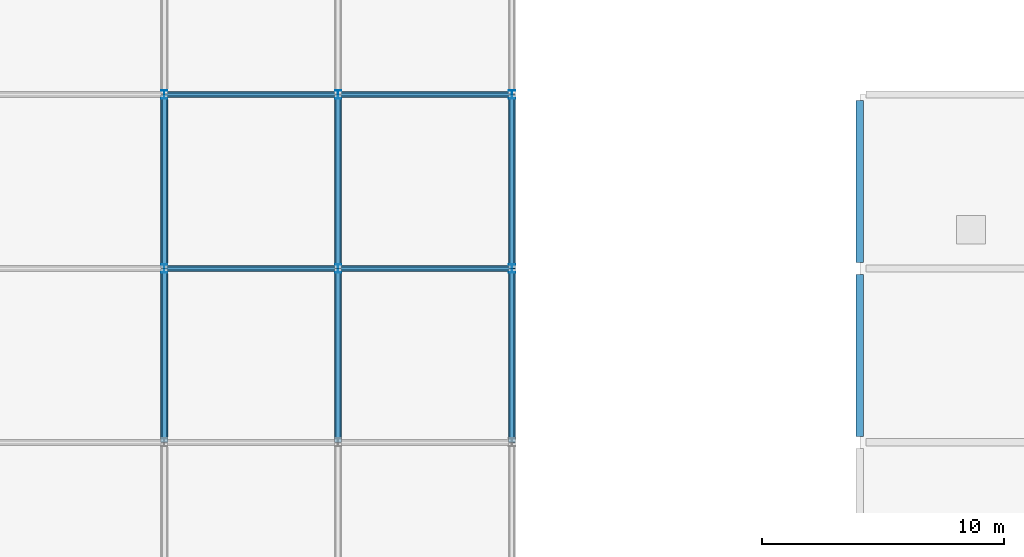
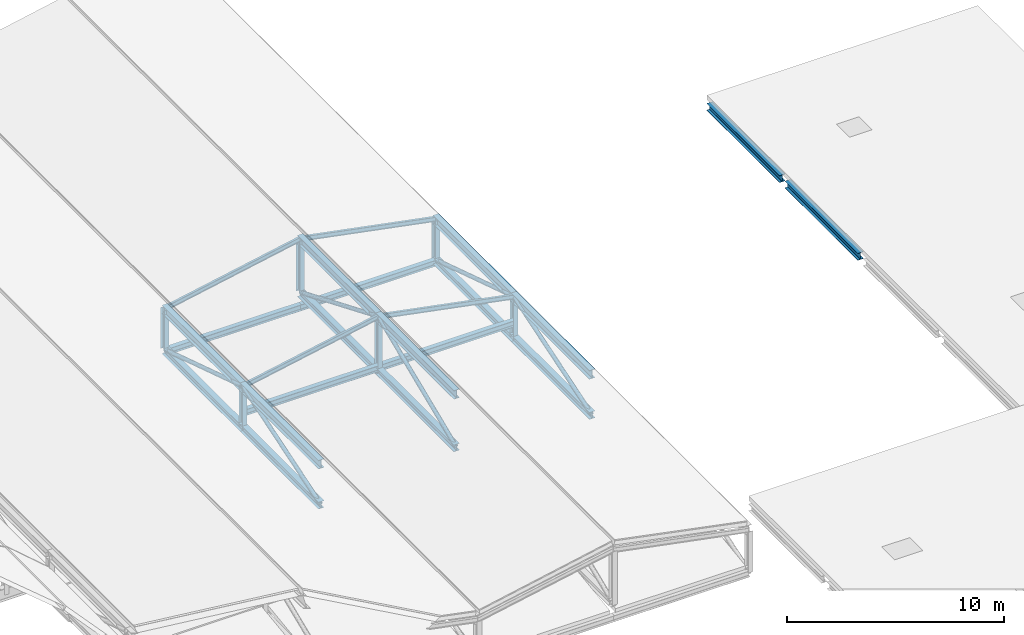
# One storey, part 39 of 60: 28 members, 6 beams.
"""IFC4 building model written with IfcOpenShell, lengths in metres."""

from ifc_helpers import new_model, si_unit, direction, frame, origin, origin_2d, place, context, subcontext, project, spatial, hollow_circle, i_section, extrude, material, material_profile, profile_set, type_object, element, save


model = new_model("IFC4")

# Units and contexts
model_context = context("Model", 3, precision=1e-05, world=origin(), true_north=direction((0.0, 1.0)))
body_context = subcontext(model_context, "Body", "Model", "MODEL_VIEW")
ifc_project = project(units=[si_unit("LENGTHUNIT", "METRE"), si_unit("AREAUNIT", "SQUARE_METRE"), si_unit("VOLUMEUNIT", "CUBIC_METRE"), si_unit("PLANEANGLEUNIT", "RADIAN"), si_unit("MASSUNIT", "GRAM", prefix="KILO")], contexts=[model_context])

# Site, building, storey
site_placement = place(None, origin())
site = spatial("IfcSite", under=ifc_project, at=site_placement, CompositionType="ELEMENT")
building_placement = place(site_placement, origin())
building = spatial("IfcBuilding", under=site, at=building_placement, Name="Vesperath Aquatics Centre", CompositionType="ELEMENT")
storey_placement = place(building_placement, frame((0.0, 0.0, 27.60009765625)))
storey = spatial("IfcBuildingStorey", under=building, at=storey_placement, Name="RF", CompositionType="ELEMENT", Elevation=27.60009765625)

# Beams
ifc_material_1 = material(Name="Steel Q355C", Category="steel")
ifc_material_profile_1 = material_profile(ifc_material_1, i_section(OverallWidth=0.300048828125, OverallDepth=0.389892578125, WebThickness=0.010009765625, FlangeThickness=0.01611328125, FilletRadius=0.02197265625, at=origin_2d()), Name="HM 390x300x10x16")
ifc_profile_set_1 = profile_set([ifc_material_profile_1], Name="Steel Q355C")
beam_type_1 = type_object("IfcBeamType", Name="BM-RB01", PredefinedType="BEAM", material=ifc_profile_set_1)
beam_1_placement = place(storey_placement, frame((158.39990234375, 79.449951171875, -8.755126953125), z_axis=(0.0, 1.0, 0.0), x_axis=(-1.0, 0.0, 0.0)))
element("IfcBeam", 1, at=beam_1_placement, inside=storey, type_object=beam_type_1, Name="Flat Roof Girder B11 RF 23 M-N", PredefinedType="BEAM", context=body_context, shape_type="SweptSolid", body=[
    extrude(i_section(OverallWidth=0.300048828125, OverallDepth=0.389892578125, WebThickness=0.010009765625, FlangeThickness=0.01611328125, FilletRadius=0.02197265625, at=origin_2d()), origin(), (0.0, 0.0, 1.0), 6.699951171875),
])
beam_2_placement = place(storey_placement, frame((158.39990234375, 86.64990234375, -8.755126953125), z_axis=(0.0, 1.0, 0.0), x_axis=(-1.0, 0.0, 0.0)))
element("IfcBeam", 2, at=beam_2_placement, inside=storey, type_object=beam_type_1, Name="Flat Roof Girder B11 RF 23 N-P", PredefinedType="BEAM", context=body_context, shape_type="SweptSolid", body=[
    extrude(i_section(OverallWidth=0.300048828125, OverallDepth=0.389892578125, WebThickness=0.010009765625, FlangeThickness=0.01611328125, FilletRadius=0.02197265625, at=origin_2d()), origin(), (0.0, 0.0, 1.0), 6.7001953125),
])
ifc_material_profile_2 = material_profile(ifc_material_1, i_section(OverallWidth=0.25, OverallDepth=0.340087890625, WebThickness=0.009033203125, FlangeThickness=0.013916015625, FilletRadius=0.02001953125, at=origin_2d()), Name="HM 340x250x9x14")
ifc_profile_set_2 = profile_set([ifc_material_profile_2], Name="Steel Q355C")
beam_type_2 = type_object("IfcBeamType", Name="BM-RB04", PredefinedType="BEAM", material=ifc_profile_set_2)
for number, where, z_axis, x_axis, name in (
    (3, (129.60009765625, 93.60009765625, -12.60498046875), (1.0, 0.0, 0.0), (0.0, 1.0, 0.0), "Training Roof Support Beam B12 19-93.6"),
    (4, (136.800048828125, 93.60009765625, -12.60498046875), (1.0, 0.0, 0.0), (0.0, 1.0, 0.0), "Training Roof Support Beam B12 20-93.6"),
):
    element("IfcBeam", number, at=place(storey_placement, frame(where, z_axis=z_axis, x_axis=x_axis)), inside=storey, type_object=beam_type_2, Name=name, PredefinedType="BEAM", context=body_context, shape_type="SweptSolid", body=[
        extrude(i_section(OverallWidth=0.25, OverallDepth=0.340087890625, WebThickness=0.009033203125, FlangeThickness=0.013916015625, FilletRadius=0.02001953125, at=origin_2d()), origin(), (0.0, 0.0, 1.0), 7.199951171875),
    ])
ifc_material_profile_3 = material_profile(ifc_material_1, i_section(OverallWidth=0.25, OverallDepth=0.340087890625, WebThickness=0.009033203125, FlangeThickness=0.013916015625, FilletRadius=0.02001953125, at=origin_2d()), Name="HM 340x250x9x14")
ifc_profile_set_3 = profile_set([ifc_material_profile_3], Name="Steel Q355C")
beam_type_3 = type_object("IfcBeamType", Name="BM-RB05", PredefinedType="BEAM", material=ifc_profile_set_3)
for number, where, z_axis, x_axis, name in (
    (5, (129.60009765625, 86.39990234375, -11.644287109375), (1.0, 0.0, 0.0), (0.0, 1.0, 0.0), "Training Roof Support Beam B12 19-86.4"),
    (6, (136.800048828125, 86.39990234375, -11.644287109375), (1.0, 0.0, 0.0), (0.0, 1.0, 0.0), "Training Roof Support Beam B12 20-86.4"),
):
    element("IfcBeam", number, at=place(storey_placement, frame(where, z_axis=z_axis, x_axis=x_axis)), inside=storey, type_object=beam_type_3, Name=name, PredefinedType="BEAM", context=body_context, shape_type="SweptSolid", body=[
        extrude(i_section(OverallWidth=0.25, OverallDepth=0.340087890625, WebThickness=0.009033203125, FlangeThickness=0.013916015625, FilletRadius=0.02001953125, at=origin_2d()), origin(), (0.0, 0.0, 1.0), 7.199951171875),
    ])

# Members
ifc_material_2 = material(Name="Steel Q355D", Category="steel")
ifc_material_profile_4 = material_profile(ifc_material_2, i_section(OverallWidth=0.300048828125, OverallDepth=0.389892578125, WebThickness=0.010009765625, FlangeThickness=0.01611328125, FilletRadius=0.02197265625, at=origin_2d()), Name="HM 390x300x10x16")
ifc_profile_set_4 = profile_set([ifc_material_profile_4], Name="Steel Q355D")
member_type_1 = type_object("IfcMemberType", Name="MB-BC03", PredefinedType="CHORD", material=ifc_profile_set_4)
member_1_placement = place(storey_placement, frame((129.60009765625, 79.199951171875, -12.5), z_axis=(0.0, 1.0, 0.0), x_axis=(-1.0, 0.0, 0.0)))
element("IfcMember", 7, at=member_1_placement, inside=storey, type_object=member_type_1, Name="Training Hall ROOF TRUSS Bottom Chord BC03 G19-3", PredefinedType="CHORD", context=body_context, shape_type="SweptSolid", body=[
    extrude(i_section(OverallWidth=0.300048828125, OverallDepth=0.389892578125, WebThickness=0.010009765625, FlangeThickness=0.01611328125, FilletRadius=0.02197265625, at=origin_2d()), origin(), (0.0, 0.0, 1.0), 7.199951171875),
])
member_2_placement = place(storey_placement, frame((129.60009765625, 86.39990234375, -12.5), z_axis=(0.0, 1.0, 0.0), x_axis=(-1.0, 0.0, 0.0)))
element("IfcMember", 8, at=member_2_placement, inside=storey, type_object=member_type_1, Name="Training Hall ROOF TRUSS Bottom Chord BC03 G19-4", PredefinedType="CHORD", context=body_context, shape_type="SweptSolid", body=[
    extrude(i_section(OverallWidth=0.300048828125, OverallDepth=0.389892578125, WebThickness=0.010009765625, FlangeThickness=0.01611328125, FilletRadius=0.02197265625, at=origin_2d()), origin(), (0.0, 0.0, 1.0), 7.2001953125),
])
member_3_placement = place(storey_placement, frame((136.800048828125, 79.199951171875, -11.800048828125), z_axis=(0.0, 1.0, 0.0), x_axis=(-1.0, 0.0, 0.0)))
element("IfcMember", 9, at=member_3_placement, inside=storey, type_object=member_type_1, Name="Training Hall ROOF TRUSS Bottom Chord BC03 G20-3", PredefinedType="CHORD", context=body_context, shape_type="SweptSolid", body=[
    extrude(i_section(OverallWidth=0.300048828125, OverallDepth=0.389892578125, WebThickness=0.010009765625, FlangeThickness=0.01611328125, FilletRadius=0.02197265625, at=origin_2d()), origin(), (0.0, 0.0, 1.0), 7.199951171875),
])
member_4_placement = place(storey_placement, frame((136.800048828125, 86.39990234375, -11.800048828125), z_axis=(0.0, 1.0, 0.0), x_axis=(-1.0, 0.0, 0.0)))
element("IfcMember", 10, at=member_4_placement, inside=storey, type_object=member_type_1, Name="Training Hall ROOF TRUSS Bottom Chord BC03 G20-4", PredefinedType="CHORD", context=body_context, shape_type="SweptSolid", body=[
    extrude(i_section(OverallWidth=0.300048828125, OverallDepth=0.389892578125, WebThickness=0.010009765625, FlangeThickness=0.01611328125, FilletRadius=0.02197265625, at=origin_2d()), origin(), (0.0, 0.0, 1.0), 7.2001953125),
])
member_5_placement = place(storey_placement, frame((144.0, 79.199951171875, -12.5), z_axis=(0.0, 1.0, 0.0), x_axis=(-1.0, 0.0, 0.0)))
element("IfcMember", 11, at=member_5_placement, inside=storey, type_object=member_type_1, Name="Training Hall ROOF TRUSS Bottom Chord BC03 G21-3", PredefinedType="CHORD", context=body_context, shape_type="SweptSolid", body=[
    extrude(i_section(OverallWidth=0.300048828125, OverallDepth=0.389892578125, WebThickness=0.010009765625, FlangeThickness=0.01611328125, FilletRadius=0.02197265625, at=origin_2d()), origin(), (0.0, 0.0, 1.0), 7.199951171875),
])
member_6_placement = place(storey_placement, frame((144.0, 86.39990234375, -12.5), z_axis=(0.0, 1.0, 0.0), x_axis=(-1.0, 0.0, 0.0)))
element("IfcMember", 12, at=member_6_placement, inside=storey, type_object=member_type_1, Name="Training Hall ROOF TRUSS Bottom Chord BC03 G21-4", PredefinedType="CHORD", context=body_context, shape_type="SweptSolid", body=[
    extrude(i_section(OverallWidth=0.300048828125, OverallDepth=0.389892578125, WebThickness=0.010009765625, FlangeThickness=0.01611328125, FilletRadius=0.02197265625, at=origin_2d()), origin(), (0.0, 0.0, 1.0), 7.2001953125),
])
ifc_material_profile_5 = material_profile(ifc_material_1, i_section(OverallWidth=0.125, OverallDepth=0.25, WebThickness=0.006103515625, FlangeThickness=0.009033203125, FilletRadius=0.010009765625, at=origin_2d()), Name="HN 250x125x6x9")
ifc_profile_set_5 = profile_set([ifc_material_profile_5], Name="Steel Q355C")
member_type_2 = type_object("IfcMemberType", Name="MB-PR03", PredefinedType="PURLIN", material=ifc_profile_set_5)
for number, where, z_axis, x_axis, name in (
    (13, (129.60009765625, 86.39990234375, -10.2001953125), (0.98161140514, 0.0, 0.190890149825), (0.0, 1.0, 0.0), "Training Hall Roof Purlin PR03 19-4"),
    (14, (129.60009765625, 93.60009765625, -10.2001953125), (0.98161140514, 0.0, 0.190890149825), (0.0, 1.0, 0.0), "Training Hall Roof Purlin PR03 19-5"),
    (15, (136.800048828125, 86.39990234375, -8.800048828125), (0.98161140514, 0.0, -0.190890149825), (0.0, 1.0, 0.0), "Training Hall Roof Purlin PR03 20-4"),
    (16, (136.800048828125, 93.60009765625, -8.800048828125), (0.98161140514, 0.0, -0.190890149825), (0.0, 1.0, 0.0), "Training Hall Roof Purlin PR03 20-5"),
):
    element("IfcMember", number, at=place(storey_placement, frame(where, z_axis=z_axis, x_axis=x_axis)), inside=storey, type_object=member_type_2, Name=name, PredefinedType="PURLIN", context=body_context, shape_type="SweptSolid", body=[
        extrude(i_section(OverallWidth=0.125, OverallDepth=0.25, WebThickness=0.006103515625, FlangeThickness=0.009033203125, FilletRadius=0.010009765625, at=origin_2d()), origin(), (0.0, 0.0, 1.0), 7.334716796875),
    ])
ifc_material_profile_6 = material_profile(ifc_material_2, i_section(OverallWidth=0.300048828125, OverallDepth=0.488037109375, WebThickness=0.010986328125, FlangeThickness=0.01806640625, FilletRadius=0.02587890625, at=origin_2d()), Name="HM 488x300x11x18")
ifc_profile_set_6 = profile_set([ifc_material_profile_6], Name="Steel Q355D")
member_type_3 = type_object("IfcMemberType", Name="MB-TC04", PredefinedType="CHORD", material=ifc_profile_set_6)
member_7_placement = place(storey_placement, frame((129.60009765625, 79.199951171875, -10.2001953125), z_axis=(0.0, 1.0, 0.0), x_axis=(-1.0, 0.0, 0.0)))
element("IfcMember", 17, at=member_7_placement, inside=storey, type_object=member_type_3, Name="Training Hall ROOF TRUSS Top Chord TC04 G19-3", PredefinedType="CHORD", context=body_context, shape_type="SweptSolid", body=[
    extrude(i_section(OverallWidth=0.300048828125, OverallDepth=0.488037109375, WebThickness=0.010986328125, FlangeThickness=0.01806640625, FilletRadius=0.02587890625, at=origin_2d()), origin(), (0.0, 0.0, 1.0), 7.199951171875),
])
member_8_placement = place(storey_placement, frame((129.60009765625, 86.39990234375, -10.2001953125), z_axis=(0.0, 1.0, 0.0), x_axis=(-1.0, 0.0, 0.0)))
element("IfcMember", 18, at=member_8_placement, inside=storey, type_object=member_type_3, Name="Training Hall ROOF TRUSS Top Chord TC04 G19-4", PredefinedType="CHORD", context=body_context, shape_type="SweptSolid", body=[
    extrude(i_section(OverallWidth=0.300048828125, OverallDepth=0.488037109375, WebThickness=0.010986328125, FlangeThickness=0.01806640625, FilletRadius=0.02587890625, at=origin_2d()), origin(), (0.0, 0.0, 1.0), 7.2001953125),
])
member_9_placement = place(storey_placement, frame((136.800048828125, 79.199951171875, -8.800048828125), z_axis=(0.0, 1.0, 0.0), x_axis=(-1.0, 0.0, 0.0)))
element("IfcMember", 19, at=member_9_placement, inside=storey, type_object=member_type_3, Name="Training Hall ROOF TRUSS Top Chord TC04 G20-3", PredefinedType="CHORD", context=body_context, shape_type="SweptSolid", body=[
    extrude(i_section(OverallWidth=0.300048828125, OverallDepth=0.488037109375, WebThickness=0.010986328125, FlangeThickness=0.01806640625, FilletRadius=0.02587890625, at=origin_2d()), origin(), (0.0, 0.0, 1.0), 7.199951171875),
])
member_10_placement = place(storey_placement, frame((136.800048828125, 86.39990234375, -8.800048828125), z_axis=(0.0, 1.0, 0.0), x_axis=(-1.0, 0.0, 0.0)))
element("IfcMember", 20, at=member_10_placement, inside=storey, type_object=member_type_3, Name="Training Hall ROOF TRUSS Top Chord TC04 G20-4", PredefinedType="CHORD", context=body_context, shape_type="SweptSolid", body=[
    extrude(i_section(OverallWidth=0.300048828125, OverallDepth=0.488037109375, WebThickness=0.010986328125, FlangeThickness=0.01806640625, FilletRadius=0.02587890625, at=origin_2d()), origin(), (0.0, 0.0, 1.0), 7.2001953125),
])
member_11_placement = place(storey_placement, frame((144.0, 79.199951171875, -10.2001953125), z_axis=(0.0, 1.0, 0.0), x_axis=(-1.0, 0.0, 0.0)))
element("IfcMember", 21, at=member_11_placement, inside=storey, type_object=member_type_3, Name="Training Hall ROOF TRUSS Top Chord TC04 G21-3", PredefinedType="CHORD", context=body_context, shape_type="SweptSolid", body=[
    extrude(i_section(OverallWidth=0.300048828125, OverallDepth=0.488037109375, WebThickness=0.010986328125, FlangeThickness=0.01806640625, FilletRadius=0.02587890625, at=origin_2d()), origin(), (0.0, 0.0, 1.0), 7.199951171875),
])
member_12_placement = place(storey_placement, frame((144.0, 86.39990234375, -10.2001953125), z_axis=(0.0, 1.0, 0.0), x_axis=(-1.0, 0.0, 0.0)))
element("IfcMember", 22, at=member_12_placement, inside=storey, type_object=member_type_3, Name="Training Hall ROOF TRUSS Top Chord TC04 G21-4", PredefinedType="CHORD", context=body_context, shape_type="SweptSolid", body=[
    extrude(i_section(OverallWidth=0.300048828125, OverallDepth=0.488037109375, WebThickness=0.010986328125, FlangeThickness=0.01806640625, FilletRadius=0.02587890625, at=origin_2d()), origin(), (0.0, 0.0, 1.0), 7.2001953125),
])
ifc_material_profile_7 = material_profile(ifc_material_2, hollow_circle(Radius=0.109619140625, WallThickness=0.010009765625, at=origin_2d()), Name="CHS 219.1x10")
ifc_profile_set_7 = profile_set([ifc_material_profile_7], Name="Steel Q355D")
member_type_4 = type_object("IfcMemberType", Name="MB-TD04", PredefinedType="BRACE", material=ifc_profile_set_7)
member_13_placement = place(storey_placement, frame((129.60009765625, 79.276123046875, -12.475830078125), z_axis=(0.0, 0.952571930303, 0.304313518594), x_axis=(-1.0, 0.0, 0.0)))
element("IfcMember", 23, at=member_13_placement, inside=storey, type_object=member_type_4, Name="Training Hall ROOF TRUSS Diagonal TD04 G19-3", PredefinedType="BRACE", context=body_context, shape_type="SweptSolid", body=[
    extrude(hollow_circle(Radius=0.109619140625, WallThickness=0.010009765625, at=origin_2d()), origin(), (0.0, 0.0, 1.0), 7.3984375),
])
member_14_placement = place(storey_placement, frame((129.60009765625, 86.476318359375, -10.224365234375), z_axis=(0.0, 0.952568874262, -0.304323084544), x_axis=(-1.0, 0.0, 0.0)))
element("IfcMember", 24, at=member_14_placement, inside=storey, type_object=member_type_4, Name="Training Hall ROOF TRUSS Diagonal TD04 G19-4", PredefinedType="BRACE", context=body_context, shape_type="SweptSolid", body=[
    extrude(hollow_circle(Radius=0.109619140625, WallThickness=0.010009765625, at=origin_2d()), origin(), (0.0, 0.0, 1.0), 7.398193359375),
])
for number, where, z_axis, x_axis, name in (
    (25, (136.800048828125, 79.27392578125, -11.769287109375), (0.0, 0.92307503219, 0.384619922711), (-1.0, 0.0, 0.0), "Training Hall ROOF TRUSS Diagonal TD04 G20-3"),
    (26, (136.800048828125, 86.473876953125, -8.830810546875), (0.0, 0.92307503219, -0.384619922711), (-1.0, 0.0, 0.0), "Training Hall ROOF TRUSS Diagonal TD04 G20-4"),
):
    element("IfcMember", number, at=place(storey_placement, frame(where, z_axis=z_axis, x_axis=x_axis)), inside=storey, type_object=member_type_4, Name=name, PredefinedType="BRACE", context=body_context, shape_type="SweptSolid", body=[
        extrude(hollow_circle(Radius=0.109619140625, WallThickness=0.010009765625, at=origin_2d()), origin(), (0.0, 0.0, 1.0), 7.639892578125),
    ])
member_15_placement = place(storey_placement, frame((144.0, 79.276123046875, -12.475830078125), z_axis=(0.0, 0.952571930303, 0.304313518594), x_axis=(-1.0, 0.0, 0.0)))
element("IfcMember", 27, at=member_15_placement, inside=storey, type_object=member_type_4, Name="Training Hall ROOF TRUSS Diagonal TD04 G21-3", PredefinedType="BRACE", context=body_context, shape_type="SweptSolid", body=[
    extrude(hollow_circle(Radius=0.109619140625, WallThickness=0.010009765625, at=origin_2d()), origin(), (0.0, 0.0, 1.0), 7.3984375),
])
member_16_placement = place(storey_placement, frame((144.0, 86.476318359375, -10.224365234375), z_axis=(0.0, 0.952568874262, -0.304323084544), x_axis=(-1.0, 0.0, 0.0)))
element("IfcMember", 28, at=member_16_placement, inside=storey, type_object=member_type_4, Name="Training Hall ROOF TRUSS Diagonal TD04 G21-4", PredefinedType="BRACE", context=body_context, shape_type="SweptSolid", body=[
    extrude(hollow_circle(Radius=0.109619140625, WallThickness=0.010009765625, at=origin_2d()), origin(), (0.0, 0.0, 1.0), 7.398193359375),
])
ifc_material_profile_8 = material_profile(ifc_material_2, i_section(OverallWidth=0.25, OverallDepth=0.340087890625, WebThickness=0.009033203125, FlangeThickness=0.013916015625, FilletRadius=0.02001953125, at=origin_2d()), Name="HM 340x250x9x14")
ifc_profile_set_8 = profile_set([ifc_material_profile_8], Name="Steel Q355D")
member_type_5 = type_object("IfcMemberType", Name="MB-TP02", PredefinedType="POST", material=ifc_profile_set_8)
for number, where, z_axis, x_axis, name in (
    (29, (129.60009765625, 86.39990234375, -12.5), (0.0, 0.0, 1.0), (1.0, 0.0, 0.0), "Training Hall ROOF TRUSS Post TP02 G19-4"),
    (30, (129.60009765625, 93.60009765625, -12.5), (0.0, 0.0, 1.0), (1.0, 0.0, 0.0), "Training Hall ROOF TRUSS Post TP02 G19-5"),
):
    element("IfcMember", number, at=place(storey_placement, frame(where, z_axis=z_axis, x_axis=x_axis)), inside=storey, type_object=member_type_5, Name=name, PredefinedType="POST", context=body_context, shape_type="SweptSolid", body=[
        extrude(i_section(OverallWidth=0.25, OverallDepth=0.340087890625, WebThickness=0.009033203125, FlangeThickness=0.013916015625, FilletRadius=0.02001953125, at=origin_2d()), origin(), (0.0, 0.0, 1.0), 2.2998046875),
    ])
for number, where, z_axis, x_axis, name in (
    (31, (136.800048828125, 86.39990234375, -11.800048828125), (0.0, 0.0, 1.0), (1.0, 0.0, 0.0), "Training Hall ROOF TRUSS Post TP02 G20-4"),
    (32, (136.800048828125, 93.60009765625, -11.800048828125), (0.0, 0.0, 1.0), (1.0, 0.0, 0.0), "Training Hall ROOF TRUSS Post TP02 G20-5"),
):
    element("IfcMember", number, at=place(storey_placement, frame(where, z_axis=z_axis, x_axis=x_axis)), inside=storey, type_object=member_type_5, Name=name, PredefinedType="POST", context=body_context, shape_type="SweptSolid", body=[
        extrude(i_section(OverallWidth=0.25, OverallDepth=0.340087890625, WebThickness=0.009033203125, FlangeThickness=0.013916015625, FilletRadius=0.02001953125, at=origin_2d()), origin(), (0.0, 0.0, 1.0), 3.0),
    ])
for number, where, z_axis, x_axis, name in (
    (33, (144.0, 86.39990234375, -12.5), (0.0, 0.0, 1.0), (1.0, 0.0, 0.0), "Training Hall ROOF TRUSS Post TP02 G21-4"),
    (34, (144.0, 93.60009765625, -12.5), (0.0, 0.0, 1.0), (1.0, 0.0, 0.0), "Training Hall ROOF TRUSS Post TP02 G21-5"),
):
    element("IfcMember", number, at=place(storey_placement, frame(where, z_axis=z_axis, x_axis=x_axis)), inside=storey, type_object=member_type_5, Name=name, PredefinedType="POST", context=body_context, shape_type="SweptSolid", body=[
        extrude(i_section(OverallWidth=0.25, OverallDepth=0.340087890625, WebThickness=0.009033203125, FlangeThickness=0.013916015625, FilletRadius=0.02001953125, at=origin_2d()), origin(), (0.0, 0.0, 1.0), 2.2998046875),
    ])

save(model, "model.ifc")
